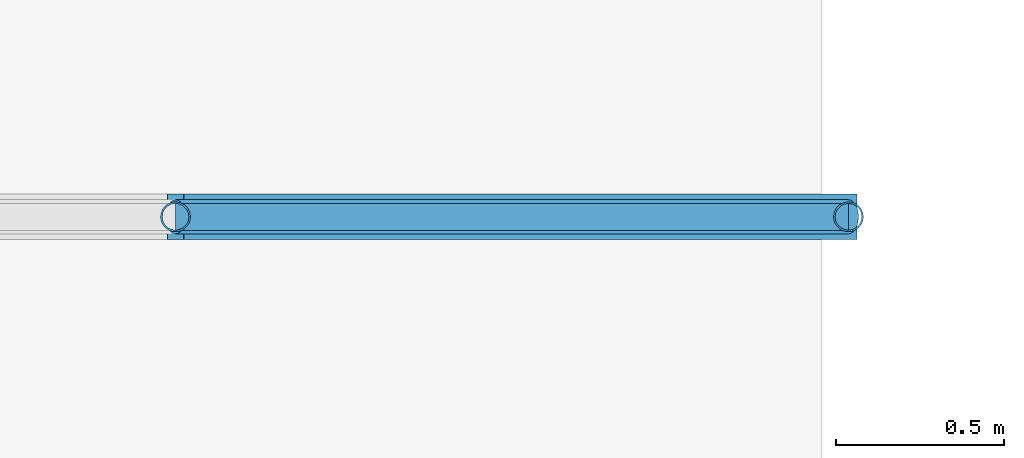
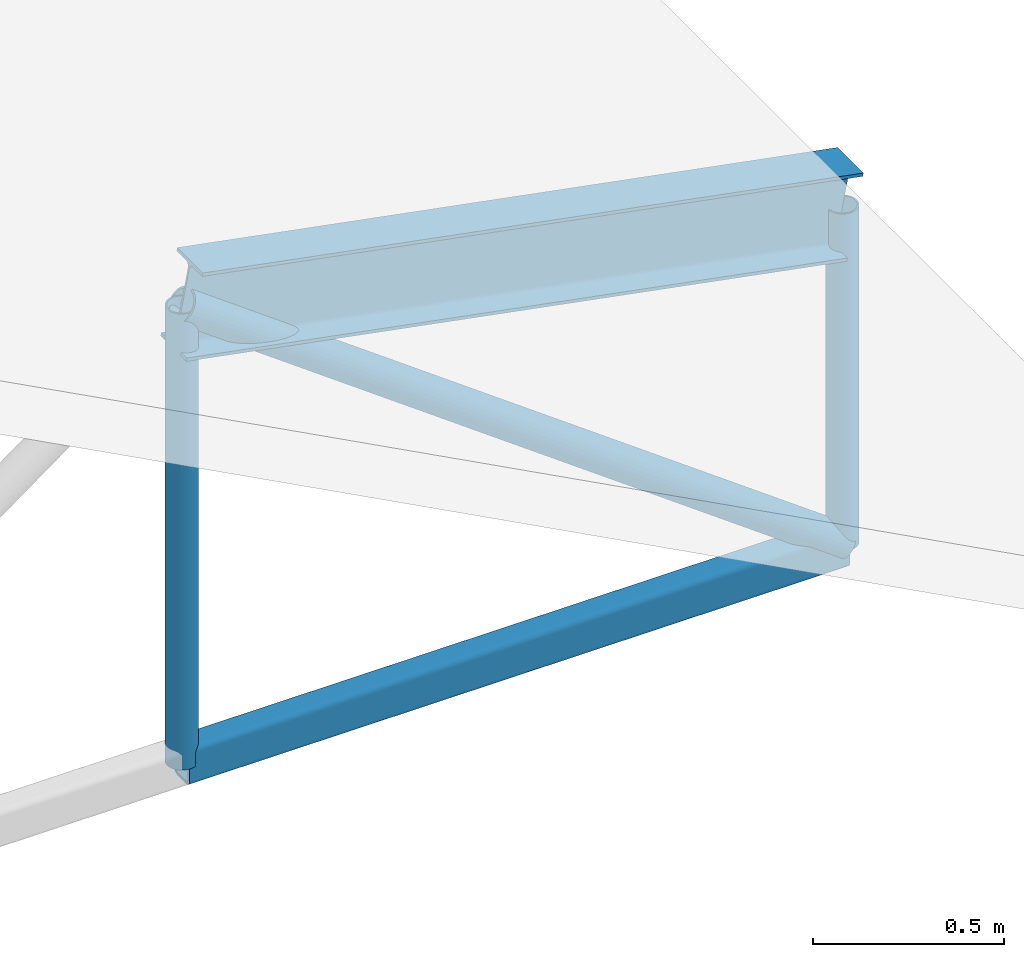
# One storey, part 30 of 54: 5 members.
"""IFC4 building model written with IfcOpenShell, lengths in metres."""

import ifcopenshell
import ifcopenshell.guid

model = None  # the IFC model being written
_history = None  # IfcOwnerHistory: only IFC2X3 demands one
_inside = {}  # id of a spatial element -> (the spatial element, [elements in it])
_under = {}  # id of a project, library or spatial element -> (it, [spatial elements below it])
_declared = {}  # id of a project -> (the project, [libraries it declares])
_typed = {}  # id of a type object -> (the type object, [elements of that type])
_made_of = {}  # id of a material, layer set ... -> (it, [elements and type objects made of it])


def new_model(schema):
    """Start an empty IFC model of exactly this schema.

    Asked for "IFC4X3", IfcOpenShell would pick the latest addendum, in which some entities
    have other attributes; the version numbers below select the first issue.
    IFC2X3 requires an IfcOwnerHistory on every rooted entity: one is made here for all.
    """
    global model, _history
    if schema == "IFC4X3":
        model = ifcopenshell.file(schema_version=(4, 3, 0, 0))
    else:
        model = ifcopenshell.file(schema=schema)
    _inside.clear()
    _under.clear()
    _declared.clear()
    _typed.clear()
    _made_of.clear()
    _history = None
    if model.schema == "IFC2X3":
        org = make("IfcOrganization", Name="unknown")
        user = make(
            "IfcPersonAndOrganization",
            ThePerson=make("IfcPerson", FamilyName="unknown"),
            TheOrganization=org,
        )
        app = make(
            "IfcApplication",
            ApplicationDeveloper=org,
            Version="unknown",
            ApplicationFullName="unknown",
            ApplicationIdentifier="unknown",
        )
        _history = make(
            "IfcOwnerHistory",
            OwningUser=user,
            OwningApplication=app,
            ChangeAction="ADDED",
            CreationDate=0,
        )
    return model


def make(cls, **values):
    """One entity of the class cls with the attributes given. An attribute that is None is left unset."""
    return model.create_entity(
        cls, **{name: value for name, value in values.items() if value is not None}
    )


def rooted(cls, **values):
    """An entity with a GlobalId (a new one), such as an element, a storey or a relation."""
    return make(cls, GlobalId=ifcopenshell.guid.new(), OwnerHistory=_history, **values)


def si_unit(unit_type, name, prefix=None):
    """IfcSIUnit, for example si_unit("LENGTHUNIT", "METRE", prefix="MILLI")."""
    return make("IfcSIUnit", UnitType=unit_type, Prefix=prefix, Name=name)


def derived_unit(unit_type, elements):
    """IfcDerivedUnit: a product of units, each with its exponent."""
    return make(
        "IfcDerivedUnit",
        Elements=[
            make("IfcDerivedUnitElement", Unit=unit, Exponent=power)
            for unit, power in elements
        ],
        UnitType=unit_type,
    )


def assignment(units):
    """IfcUnitAssignment: the units of a project."""
    return None if units is None else make("IfcUnitAssignment", Units=units)


def point(xyz):
    """IfcCartesianPoint."""
    return None if xyz is None else make("IfcCartesianPoint", Coordinates=xyz)


def direction(xyz):
    """IfcDirection."""
    return None if xyz is None else make("IfcDirection", DirectionRatios=xyz)


def frame(location, z_axis=None, x_axis=None):
    """IfcAxis2Placement3D, a coordinate frame: its origin and axes. An axis left out is left unset."""
    return make(
        "IfcAxis2Placement3D",
        Location=point(location),
        Axis=direction(z_axis),
        RefDirection=direction(x_axis),
    )


def frame_2d(location, x_axis=None):
    """IfcAxis2Placement2D, a coordinate frame in the plane: its origin and x axis."""
    return make(
        "IfcAxis2Placement2D", Location=point(location), RefDirection=direction(x_axis)
    )


def origin():
    """The frame at (0, 0, 0) with its axes left unset."""
    return frame((0.0, 0.0, 0.0))


def origin_2d():
    """The frame at (0, 0) in the plane with its x axis left unset."""
    return frame_2d((0.0, 0.0))


def place(relative_to, where):
    """IfcLocalPlacement: puts the frame where relative to a parent placement (None: the world)."""
    return make(
        "IfcLocalPlacement", PlacementRelTo=relative_to, RelativePlacement=where
    )


def context(
    kind, dimensions, precision=None, world=None, true_north=None, identifier=None
):
    """IfcGeometricRepresentationContext, for example the 3D "Model" context."""
    return make(
        "IfcGeometricRepresentationContext",
        ContextIdentifier=identifier,
        ContextType=kind,
        CoordinateSpaceDimension=dimensions,
        Precision=precision,
        WorldCoordinateSystem=world,
        TrueNorth=true_north,
    )


def subcontext(parent, identifier, kind, view, scale=None):
    """IfcGeometricRepresentationSubContext, for example "Body" below "Model"."""
    return make(
        "IfcGeometricRepresentationSubContext",
        ContextIdentifier=identifier,
        ContextType=kind,
        ParentContext=parent,
        TargetScale=scale,
        TargetView=view,
    )


def project(units=None, contexts=None):
    """IfcProject with its units and contexts."""
    return rooted(
        "IfcProject",
        Name="project",
        RepresentationContexts=contexts,
        UnitsInContext=assignment(units),
    )


def spatial(cls, under=None, at=None, **own):
    """A site, building, storey or space (cls), placed at a placement, below another one or the project."""
    s = rooted(cls, ObjectPlacement=at, **own)
    if under is not None:
        _under.setdefault(under.id(), (under, []))[1].append(s)
    return s


def profile(cls, at=None, kind="AREA", **sizes):
    """A parametric profile (cls). Its sizes go by their IFC names, for example OverallWidth=200.0."""
    return make(cls, ProfileType=kind, Position=at, **sizes)


def hollow_rectangle(**sizes):
    """IfcRectangleHollowProfileDef."""
    return profile("IfcRectangleHollowProfileDef", **sizes)


def hollow_circle(**sizes):
    """IfcCircleHollowProfileDef."""
    return profile("IfcCircleHollowProfileDef", **sizes)


def i_section(**sizes):
    """IfcIShapeProfileDef."""
    return profile("IfcIShapeProfileDef", **sizes)


def extrude(swept, where, along, depth):
    """IfcExtrudedAreaSolid: the profile swept, set in the frame where, extruded along a direction by depth."""
    return make(
        "IfcExtrudedAreaSolid",
        SweptArea=swept,
        Position=where,
        ExtrudedDirection=direction(along),
        Depth=depth,
    )


def shape(context_of_items, identifier, shape_type, items):
    """IfcShapeRepresentation: the items that make up one representation, for example the "Body"."""
    return make(
        "IfcShapeRepresentation",
        ContextOfItems=context_of_items,
        RepresentationIdentifier=identifier,
        RepresentationType=shape_type,
        Items=items,
    )


def material(Name=None, Category=None):
    """IfcMaterial."""
    return make("IfcMaterial", Name=Name, Category=Category)


def material_profile(
    of_material, cross_section, Name=None, Category=None, Priority=None
):
    """IfcMaterialProfile: a cross section and its material."""
    return make(
        "IfcMaterialProfile",
        Name=Name,
        Material=of_material,
        Profile=cross_section,
        Priority=Priority,
        Category=Category,
    )


def profile_set(profiles, Name=None, composite=None):
    """IfcMaterialProfileSet."""
    return make(
        "IfcMaterialProfileSet",
        Name=Name,
        MaterialProfiles=profiles,
        CompositeProfile=composite,
    )


def made_of(thing, what):
    """Note that an element or type object is made of a material, layer set ...; save() writes the relation."""
    if what is not None:
        _made_of.setdefault(what.id(), (what, []))[1].append(thing)
    return thing


def type_object(cls, material=None, **own):
    """A type object (cls), such as IfcWallType, which elements share."""
    return made_of(rooted(cls, **own), material)


def element(
    cls,
    number,
    at=None,
    inside=None,
    cuts=None,
    type_object=None,
    material=None,
    context=None,
    identifier="Body",
    shape_type=None,
    held_by="IfcProductDefinitionShape",
    body=None,
    shapes=None,
    **own,
):
    """One element of the class cls, such as IfcWall. Its Tag is "e" and its number.

    at: its placement. inside: the storey or other place that contains it. cuts: it is an
    opening in that element (IfcRelVoidsElement). A single representation is given by context,
    identifier, shape_type and body (its items); several are given by shapes. held_by: the class
    of the entity that holds the representations. save() writes the other relations.
    """
    e = rooted(cls, Tag="e%d" % number, ObjectPlacement=at, **own)
    if body is not None:
        shapes = [shape(context, identifier, shape_type, body)]
    if shapes is not None:
        e.Representation = make(held_by, Representations=shapes)
    if inside is not None:
        _inside.setdefault(inside.id(), (inside, []))[1].append(e)
    if cuts is not None:
        rooted(
            "IfcRelVoidsElement", RelatingBuildingElement=cuts, RelatedOpeningElement=e
        )
    if type_object is not None:
        _typed.setdefault(type_object.id(), (type_object, []))[1].append(e)
    return made_of(e, material)


def aggregate(whole, parts):
    """IfcRelAggregates: a whole, such as a stair, and the parts it consists of."""
    return rooted("IfcRelAggregates", RelatingObject=whole, RelatedObjects=parts)


def save(model, path):
    """Write the relations noted so far, then the file.

    IfcRelAggregates (storeys below a building ...), IfcRelContainedInSpatialStructure (elements
    in a storey), IfcRelDefinesByType, IfcRelAssociatesMaterial and IfcRelDeclares: one each for
    every whole, place, type object, material and project.
    """
    for whole, parts in _under.values():
        aggregate(whole, parts)
    for where, things in _inside.values():
        rooted(
            "IfcRelContainedInSpatialStructure",
            RelatedElements=things,
            RelatingStructure=where,
        )
    for kind, things in _typed.values():
        rooted("IfcRelDefinesByType", RelatedObjects=things, RelatingType=kind)
    for what, things in _made_of.values():
        rooted("IfcRelAssociatesMaterial", RelatedObjects=things, RelatingMaterial=what)
    for by, libraries in _declared.values():
        rooted("IfcRelDeclares", RelatingContext=by, RelatedDefinitions=libraries)
    model.write(path)


model = new_model("IFC4")

# Units and contexts
model_context = context("Model", 3, precision=1e-05, world=origin(), true_north=direction((0.0, 1.0)))
body_context = subcontext(model_context, "Body", "Model", "MODEL_VIEW")
ifc_project = project(units=[si_unit("LENGTHUNIT", "METRE"), si_unit("AREAUNIT", "SQUARE_METRE"), si_unit("VOLUMEUNIT", "CUBIC_METRE"), si_unit("PLANEANGLEUNIT", "RADIAN"), si_unit("MASSUNIT", "GRAM", prefix="KILO"), derived_unit("THERMALTRANSMITTANCEUNIT", [(si_unit("POWERUNIT", "WATT"), 1), (si_unit("LENGTHUNIT", "METRE"), -2), (si_unit("THERMODYNAMICTEMPERATUREUNIT", "KELVIN"), -1)])], contexts=[model_context])

# Site, building, storey
site_placement = place(None, origin())
site = spatial("IfcSite", under=ifc_project, at=site_placement, CompositionType="ELEMENT")
building_placement = place(site_placement, origin())
building = spatial("IfcBuilding", under=site, at=building_placement, Name="Keldorne Ridge Multi-Sports Centre", CompositionType="ELEMENT")
storey_placement = place(building_placement, frame((0.0, 0.0, 22.199951171875)))
storey = spatial("IfcBuildingStorey", under=building, at=storey_placement, Name="ROOF", CompositionType="ELEMENT", Elevation=22.199951171875)

# Members
ifc_material = material(Name="Steel S355", Category="steel")
ifc_material_profile_1 = material_profile(ifc_material, i_section(OverallWidth=0.135009765625, OverallDepth=0.27001953125, WebThickness=0.006591796875, FlangeThickness=0.01025390625, FilletRadius=0.014892578125, at=origin_2d()), Name="IPE 270")
ifc_profile_set_1 = profile_set([ifc_material_profile_1], Name="Steel S355")
member_type_1 = type_object("IfcMemberType", Name="MEM-RF-02", PredefinedType="RAFTER", material=ifc_profile_set_1)
member_1_placement = place(storey_placement, frame((94.0, 54.0, -12.260009765625), z_axis=(0.982435006317, 0.0, -0.186605086649), x_axis=(0.0, 1.0, 0.0)))
element("IfcMember", 1, at=member_1_placement, inside=storey, type_object=member_type_1, Name="Public Passage bowstring arch top chord 07.6", PredefinedType="RAFTER", context=body_context, shape_type="SweptSolid", body=[
    extrude(i_section(OverallWidth=0.135009765625, OverallDepth=0.27001953125, WebThickness=0.006591796875, FlangeThickness=0.01025390625, FilletRadius=0.014892578125, at=origin_2d()), origin(), (0.0, 0.0, 1.0), 2.03564453125),
])
ifc_material_profile_2 = material_profile(ifc_material, hollow_rectangle(XDim=0.080078125, YDim=0.1201171875, WallThickness=0.008056640625, InnerFilletRadius=0.008056640625, OuterFilletRadius=0.01611328125, at=origin_2d()), Name="RHS 120x80x8")
ifc_profile_set_2 = profile_set([ifc_material_profile_2], Name="Steel S355")
member_type_2 = type_object("IfcMemberType", Name="MEM-TC-07", PredefinedType="CHORD", material=ifc_profile_set_2)
member_2_placement = place(storey_placement, frame((94.0, 54.0, -13.719970703125), z_axis=(1.0, 0.0, 0.0), x_axis=(0.0, 1.0, 0.0)))
element("IfcMember", 2, at=member_2_placement, inside=storey, type_object=member_type_2, Name="Public Passage bowstring tie chord 07.6", PredefinedType="CHORD", context=body_context, shape_type="SweptSolid", body=[
    extrude(hollow_rectangle(XDim=0.080078125, YDim=0.1201171875, WallThickness=0.008056640625, InnerFilletRadius=0.008056640625, OuterFilletRadius=0.01611328125, at=origin_2d()), origin(), (0.0, 0.0, 1.0), 2.0),
])
ifc_material_profile_3 = material_profile(ifc_material, hollow_circle(Radius=0.05078125, WallThickness=0.00634765625, at=origin_2d()), Name="CHS 101.6x6.3")
ifc_profile_set_3 = profile_set([ifc_material_profile_3], Name="Steel S355")
member_type_3 = type_object("IfcMemberType", Name="MEM-TD-05", PredefinedType="BRACE", material=ifc_profile_set_3)
member_3_placement = place(storey_placement, frame((94.0, 54.0, -12.260009765625), z_axis=(0.8076945033, 0.0, -0.589601212125), x_axis=(0.0, 1.0, 0.0)))
element("IfcMember", 3, at=member_3_placement, inside=storey, type_object=member_type_3, Name="Public Passage bowstring web diagonal 07.6", PredefinedType="BRACE", context=body_context, shape_type="SweptSolid", body=[
    extrude(hollow_circle(Radius=0.05078125, WallThickness=0.00634765625, at=origin_2d()), origin(), (0.0, 0.0, 1.0), 2.47607421875),
])
ifc_material_profile_4 = material_profile(ifc_material, hollow_circle(Radius=0.04443359375, WallThickness=0.0048828125, at=origin_2d()), Name="CHS 88.9x5")
ifc_profile_set_4 = profile_set([ifc_material_profile_4], Name="Steel S355")
member_type_4 = type_object("IfcMemberType", Name="MEM-TV-07", PredefinedType="STRUT", material=ifc_profile_set_4)
member_4_placement = place(storey_placement, frame((94.0, 54.0, -13.719970703125), z_axis=(0.0, 0.0, 1.0), x_axis=(1.0, 0.0, 0.0)))
element("IfcMember", 4, at=member_4_placement, inside=storey, type_object=member_type_4, Name="Public Passage bowstring hanger 07.6", PredefinedType="STRUT", context=body_context, shape_type="SweptSolid", body=[
    extrude(hollow_circle(Radius=0.04443359375, WallThickness=0.0048828125, at=origin_2d()), origin(), (0.0, 0.0, 1.0), 1.4599609375),
])
member_5_placement = place(storey_placement, frame((96.0, 54.0, -13.719970703125), z_axis=(0.0, 0.0, 1.0), x_axis=(1.0, 0.0, 0.0)))
element("IfcMember", 5, at=member_5_placement, inside=storey, type_object=member_type_4, Name="Public Passage bowstring hanger 07.7", PredefinedType="STRUT", context=body_context, shape_type="SweptSolid", body=[
    extrude(hollow_circle(Radius=0.04443359375, WallThickness=0.0048828125, at=origin_2d()), origin(), (0.0, 0.0, 1.0), 1.080078125),
])

save(model, "model.ifc")
